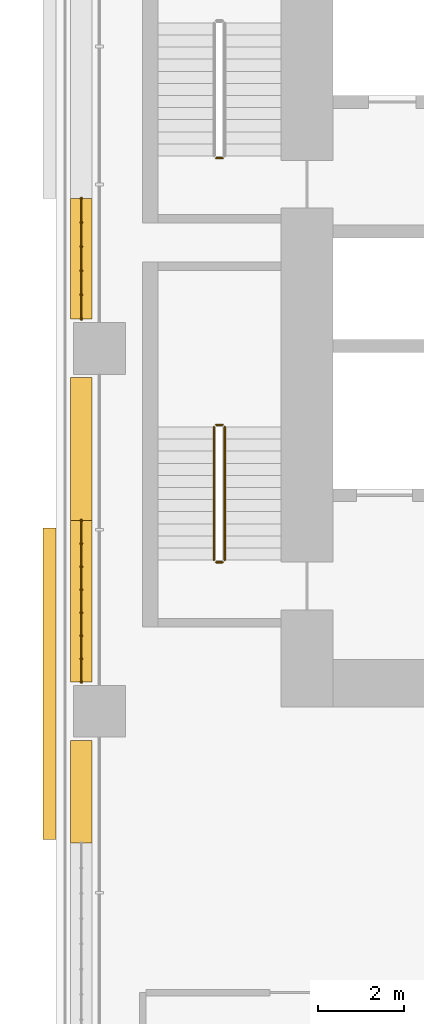
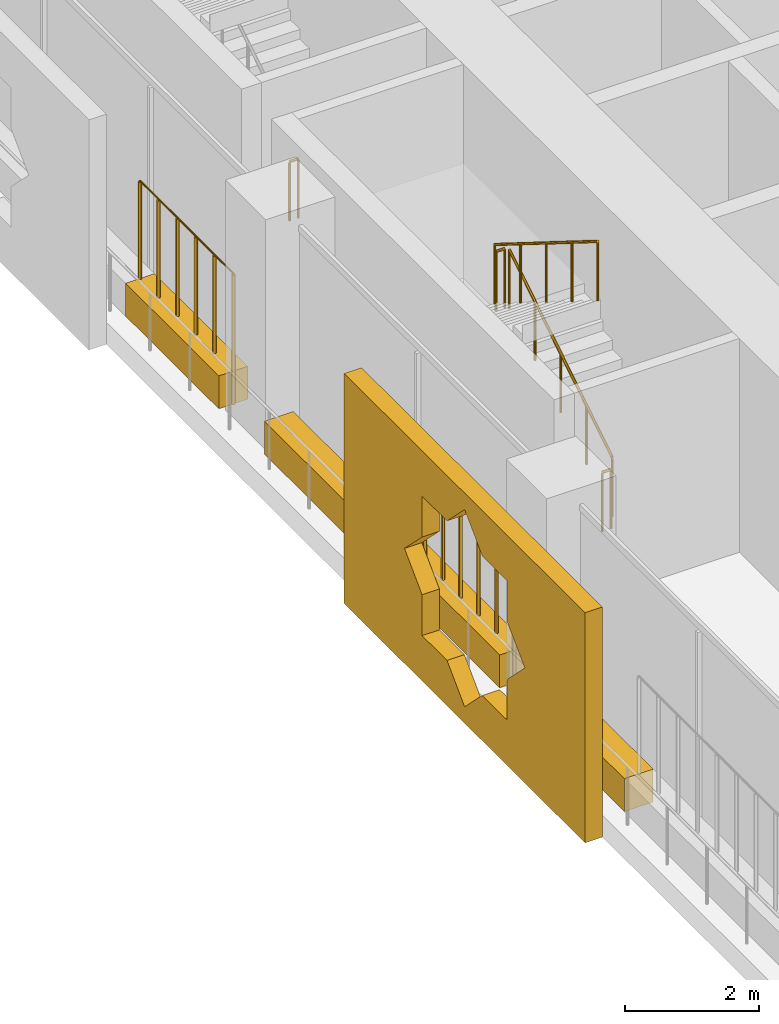
# One storey, part 24 of 29: 7 railings, 5 coverings.
"""IFC4 building model written with IfcOpenShell, lengths in metres."""

from ifc_helpers import new_model, si_unit, direction, frame, origin, origin_2d, place, context, subcontext, project, spatial, polyline, rectangle, circle, outline, extrude, material, material_profile, profile_set, type_object, element, save


model = new_model("IFC4")

# Units and contexts
model_context = context("Model", 3, precision=1e-05, world=origin(), true_north=direction((0.0, 1.0)))
body_context = subcontext(model_context, "Body", "Model", "MODEL_VIEW")
ifc_project = project(units=[si_unit("LENGTHUNIT", "METRE"), si_unit("AREAUNIT", "SQUARE_METRE"), si_unit("VOLUMEUNIT", "CUBIC_METRE"), si_unit("PLANEANGLEUNIT", "RADIAN"), si_unit("MASSUNIT", "GRAM", prefix="KILO")], contexts=[model_context])

# Site, building, storey
site_placement = place(None, origin())
site = spatial("IfcSite", under=ifc_project, at=site_placement, CompositionType="ELEMENT")
building_placement = place(site_placement, origin())
building = spatial("IfcBuilding", under=site, at=building_placement, Name="Kawkab Arch Medical Tower", CompositionType="ELEMENT")
storey_placement = place(building_placement, frame((0.0, 0.0, 64.39990234375)))
storey = spatial("IfcBuildingStorey", under=building, at=storey_placement, Name="L14", CompositionType="ELEMENT", Elevation=64.39990234375)

# Coverings
ifc_material_1 = material(Name="Bronze anodised aluminium mashrabiya panel, eight-point star pattern", Category="aluminium")
ifc_material_profile_1 = material_profile(ifc_material_1, outline(polyline([(-3.60009765625, -2.10009765625), (3.60009765625, -2.10009765625), (3.60009765625, 2.10009765625), (-3.60009765625, 2.10009765625), (-3.60009765625, -2.10009765625)]), holes=[polyline([(1.800048828125, 0.0), (1.272705078125, 0.527099609375), (1.272705078125, 1.272705078125), (0.527099609375, 1.272705078125), (0.0, 1.800048828125), (-0.527099609375, 1.272705078125), (-1.272705078125, 1.272705078125), (-1.272705078125, 0.527099609375), (-1.800048828125, 0.0), (-1.272705078125, -0.527099609375), (-1.272705078125, -1.272705078125), (-0.527099609375, -1.272705078125), (0.0, -1.800048828125), (0.527099609375, -1.272705078125), (1.272705078125, -1.272705078125), (1.272705078125, -0.527099609375), (1.800048828125, 0.0)])]), Name="Mashrabiya panel 7200x4200")
ifc_profile_set_1 = profile_set([ifc_material_profile_1], Name="Bronze anodised aluminium mashrabiya panel, eight-point star pattern")
covering_type_1 = type_object("IfcCoveringType", Name="Mashrabiya panel 7200 x 4200", PredefinedType="USERDEFINED", material=ifc_profile_set_1)
covering_1_placement = place(storey_placement, frame((-1.0, -24.561767578125, 1.7001953125), z_axis=(-1.0, 0.0, 0.0), x_axis=(0.0, -1.0, 0.0)))
element("IfcCovering", 1, at=covering_1_placement, inside=storey, type_object=covering_type_1, Name="Mashrabiya panel L14.LOG-01-01.4", ObjectType="SCREEN", PredefinedType="USERDEFINED", context=body_context, shape_type="SweptSolid", body=[
    extrude(outline(polyline([(-3.60009765625, -2.10009765625), (3.60009765625, -2.10009765625), (3.60009765625, 2.10009765625), (-3.60009765625, 2.10009765625), (-3.60009765625, -2.10009765625)]), holes=[polyline([(1.800048828125, 0.0), (1.272705078125, 0.527099609375), (1.272705078125, 1.272705078125), (0.527099609375, 1.272705078125), (0.0, 1.800048828125), (-0.527099609375, 1.272705078125), (-1.272705078125, 1.272705078125), (-1.272705078125, 0.527099609375), (-1.800048828125, 0.0), (-1.272705078125, -0.527099609375), (-1.272705078125, -1.272705078125), (-0.527099609375, -1.272705078125), (0.0, -1.800048828125), (0.527099609375, -1.272705078125), (1.272705078125, -1.272705078125), (1.272705078125, -0.527099609375), (1.800048828125, 0.0)])]), origin(), (0.0, 0.0, 1.0), 0.300048828125),
])
ifc_material_2 = material(Name="Planting soil in a precast trough", Category="concrete")
ifc_material_profile_2 = material_profile(ifc_material_2, rectangle(XDim=0.5, YDim=0.60009765625, at=origin_2d()), Name="Trough 500x600")
ifc_profile_set_2 = profile_set([ifc_material_profile_2], Name="Planting soil in a precast trough")
covering_type_2 = type_object("IfcCoveringType", Name="Planter trough 500 x 600", PredefinedType="USERDEFINED", material=ifc_profile_set_2)
covering_2_placement = place(storey_placement, frame((-0.419921875, -28.243896484375, 0.300048828125), z_axis=(0.0, 1.0, 0.0), x_axis=(-1.0, 0.0, 0.0)))
element("IfcCovering", 2, at=covering_2_placement, inside=storey, type_object=covering_type_2, Name="Planter L14.LOG-01-01.12", ObjectType="PLANTER", PredefinedType="USERDEFINED", context=body_context, shape_type="SweptSolid", body=[
    extrude(rectangle(XDim=0.5, YDim=0.60009765625, at=origin_2d()), origin(), (0.0, 0.0, 1.0), 2.364013671875),
])
covering_3_placement = place(storey_placement, frame((-0.419921875, -24.52001953125, 0.300048828125), z_axis=(0.0, 1.0, 0.0), x_axis=(-1.0, 0.0, 0.0)))
element("IfcCovering", 3, at=covering_3_placement, inside=storey, type_object=covering_type_2, Name="Planter L14.LOG-01-01.13", ObjectType="PLANTER", PredefinedType="USERDEFINED", context=body_context, shape_type="SweptSolid", body=[
    extrude(rectangle(XDim=0.5, YDim=0.60009765625, at=origin_2d()), origin(), (0.0, 0.0, 1.0), 3.73291015625),
])
covering_4_placement = place(storey_placement, frame((-0.419921875, -20.787109375, 0.300048828125), z_axis=(0.0, 1.0, 0.0), x_axis=(-1.0, 0.0, 0.0)))
element("IfcCovering", 4, at=covering_4_placement, inside=storey, type_object=covering_type_2, Name="Planter L14.LOG-01-01.14", ObjectType="PLANTER", PredefinedType="USERDEFINED", context=body_context, shape_type="SweptSolid", body=[
    extrude(rectangle(XDim=0.5, YDim=0.60009765625, at=origin_2d()), origin(), (0.0, 0.0, 1.0), 3.30712890625),
])
covering_5_placement = place(storey_placement, frame((-0.419921875, -16.1201171875, 0.300048828125), z_axis=(0.0, 1.0, 0.0), x_axis=(-1.0, 0.0, 0.0)))
element("IfcCovering", 5, at=covering_5_placement, inside=storey, type_object=covering_type_2, Name="Planter L14.LOG-01-01.15", ObjectType="PLANTER", PredefinedType="USERDEFINED", context=body_context, shape_type="SweptSolid", body=[
    extrude(rectangle(XDim=0.5, YDim=0.60009765625, at=origin_2d()), origin(), (0.0, 0.0, 1.0), 2.7890625),
])

# Railings
ifc_material_3 = material(Name="Bronze anodised aluminium trellis for climbing plants", Category="aluminium")
railing_type_1 = type_object("IfcRailingType", Name="Planting trellis 2400", PredefinedType="USERDEFINED", material=ifc_material_3)
railing_1_placement = place(storey_placement, frame((-0.419921875, -24.52001953125, 0.0)))
element("IfcRailing", 6, at=railing_1_placement, inside=storey, type_object=railing_type_1, Name="Planting trellis L14.LOG-01-01.13", ObjectType="TRELLIS", PredefinedType="USERDEFINED", context=body_context, shape_type="SweptSolid", body=[
    extrude(circle(Radius=0.01513671875, at=origin_2d()), frame((0.0, 0.0, 2.384765625), z_axis=(0.0, 1.0, 0.0), x_axis=(-1.0, 0.0, 0.0)), (0.0, 0.0, 1.0), 3.73291015625),
    extrude(circle(Radius=0.030029296875, at=origin_2d()), origin(), (0.0, 0.0, 1.0), 2.369873046875),
    extrude(circle(Radius=0.030029296875, at=origin_2d()), frame((0.0, 0.533203125, 0.0)), (0.0, 0.0, 1.0), 2.369873046875),
    extrude(circle(Radius=0.030029296875, at=origin_2d()), frame((0.0, 1.066650390625, 0.0)), (0.0, 0.0, 1.0), 2.369873046875),
    extrude(circle(Radius=0.030029296875, at=origin_2d()), frame((0.0, 1.599853515625, 0.0)), (0.0, 0.0, 1.0), 2.369873046875),
    extrude(circle(Radius=0.030029296875, at=origin_2d()), frame((0.0, 2.133056640625, 0.0)), (0.0, 0.0, 1.0), 2.369873046875),
    extrude(circle(Radius=0.030029296875, at=origin_2d()), frame((0.0, 2.666259765625, 0.0)), (0.0, 0.0, 1.0), 2.369873046875),
    extrude(circle(Radius=0.030029296875, at=origin_2d()), frame((0.0, 3.19970703125, 0.0)), (0.0, 0.0, 1.0), 2.369873046875),
    extrude(circle(Radius=0.030029296875, at=origin_2d()), frame((0.0, 3.73291015625, 0.0)), (0.0, 0.0, 1.0), 2.369873046875),
])
railing_2_placement = place(storey_placement, frame((-0.419921875, -16.1201171875, 0.0)))
element("IfcRailing", 7, at=railing_2_placement, inside=storey, type_object=railing_type_1, Name="Planting trellis L14.LOG-01-01.15", ObjectType="TRELLIS", PredefinedType="USERDEFINED", context=body_context, shape_type="SweptSolid", body=[
    extrude(circle(Radius=0.01513671875, at=origin_2d()), frame((0.0, 0.0, 2.384765625), z_axis=(0.0, 1.0, 0.0), x_axis=(-1.0, 0.0, 0.0)), (0.0, 0.0, 1.0), 2.7890625),
    extrude(circle(Radius=0.030029296875, at=origin_2d()), origin(), (0.0, 0.0, 1.0), 2.369873046875),
    extrude(circle(Radius=0.030029296875, at=origin_2d()), frame((0.0, 0.557861328125, 0.0)), (0.0, 0.0, 1.0), 2.369873046875),
    extrude(circle(Radius=0.030029296875, at=origin_2d()), frame((0.0, 1.11572265625, 0.0)), (0.0, 0.0, 1.0), 2.369873046875),
    extrude(circle(Radius=0.030029296875, at=origin_2d()), frame((0.0, 1.67333984375, 0.0)), (0.0, 0.0, 1.0), 2.369873046875),
    extrude(circle(Radius=0.030029296875, at=origin_2d()), frame((0.0, 2.231201171875, 0.0)), (0.0, 0.0, 1.0), 2.369873046875),
    extrude(circle(Radius=0.030029296875, at=origin_2d()), frame((0.0, 2.7890625, 0.0)), (0.0, 0.0, 1.0), 2.369873046875),
])
ifc_material_4 = material(Name="Stainless steel", Category="steel")
railing_type_2 = type_object("IfcRailingType", Name="Stair guard 1100", PredefinedType="GUARDRAIL", material=ifc_material_4)
railing_3_placement = place(storey_placement, frame((2.85009765625, -12.39990234375, 0.0)))
element("IfcRailing", 8, at=railing_3_placement, inside=storey, type_object=railing_type_2, Name="L14 ST1 stair guard 4", PredefinedType="GUARDRAIL", context=body_context, shape_type="SweptSolid", body=[
    extrude(circle(Radius=0.02392578125, at=origin_2d()), frame((0.0, 0.0, 1.076171875), z_axis=(-1.0, 0.0, 0.0), x_axis=(0.0, -1.0, 0.0)), (0.0, 0.0, 1.0), 0.150146484375),
    extrude(circle(Radius=0.02099609375, at=origin_2d()), origin(), (0.0, 0.0, 1.0), 1.052001953125),
    extrude(circle(Radius=0.02099609375, at=origin_2d()), frame((-0.150146484375, 0.0, 0.0)), (0.0, 0.0, 1.0), 1.052001953125),
])
railing_4_placement = place(storey_placement, frame((2.89990234375, -21.699951171875, 0.175048828125)))
element("IfcRailing", 9, at=railing_4_placement, inside=storey, type_object=railing_type_2, Name="L14 ST2 stair guard 1", PredefinedType="GUARDRAIL", context=body_context, shape_type="SweptSolid", body=[
    extrude(circle(Radius=0.02392578125, at=origin_2d()), frame((0.0, 0.0, 1.076171875), z_axis=(0.0, 0.847979421464, 0.530029150871), x_axis=(-1.0, 0.0, 0.0)), (0.0, 0.0, 1.0), 3.632080078125),
    extrude(circle(Radius=0.02099609375, at=origin_2d()), origin(), (0.0, 0.0, 1.0), 1.052001953125),
    extrude(circle(Radius=0.02099609375, at=origin_2d()), frame((0.0, 0.77001953125, 0.481201171875)), (0.0, 0.0, 1.0), 1.052001953125),
    extrude(circle(Radius=0.02099609375, at=origin_2d()), frame((0.0, 1.5400390625, 0.96240234375)), (0.0, 0.0, 1.0), 1.052001953125),
    extrude(circle(Radius=0.02099609375, at=origin_2d()), frame((0.0, 2.309814453125, 1.44384765625)), (0.0, 0.0, 1.0), 1.052001953125),
    extrude(circle(Radius=0.02099609375, at=origin_2d()), frame((0.0, 3.079833984375, 1.925048828125)), (0.0, 0.0, 1.0), 1.052001953125),
])
railing_5_placement = place(storey_placement, frame((2.85009765625, -18.570068359375, 2.10009765625)))
element("IfcRailing", 10, at=railing_5_placement, inside=storey, type_object=railing_type_2, Name="L14 ST2 stair guard 2", PredefinedType="GUARDRAIL", context=body_context, shape_type="SweptSolid", body=[
    extrude(circle(Radius=0.02392578125, at=origin_2d()), frame((0.0, 0.0, 1.076171875), z_axis=(-1.0, 0.0, 0.0), x_axis=(0.0, -1.0, 0.0)), (0.0, 0.0, 1.0), 0.150146484375),
    extrude(circle(Radius=0.02099609375, at=origin_2d()), origin(), (0.0, 0.0, 1.0), 1.052001953125),
    extrude(circle(Radius=0.02099609375, at=origin_2d()), frame((-0.150146484375, 0.0, 0.0)), (0.0, 0.0, 1.0), 1.052001953125),
])
railing_6_placement = place(storey_placement, frame((2.64990234375, -18.6201171875, 2.275146484375)))
element("IfcRailing", 11, at=railing_6_placement, inside=storey, type_object=railing_type_2, Name="L14 ST2 stair guard 3", PredefinedType="GUARDRAIL", context=body_context, shape_type="SweptSolid", body=[
    extrude(circle(Radius=0.02392578125, at=origin_2d()), frame((0.0, 0.0, 1.076171875), z_axis=(0.0, -0.847979421464, 0.530029150871), x_axis=(1.0, 0.0, 0.0)), (0.0, 0.0, 1.0), 3.632080078125),
    extrude(circle(Radius=0.02099609375, at=origin_2d()), origin(), (0.0, 0.0, 1.0), 1.052001953125),
    extrude(circle(Radius=0.02099609375, at=origin_2d()), frame((0.0, -0.77001953125, 0.481201171875)), (0.0, 0.0, 1.0), 1.052001953125),
    extrude(circle(Radius=0.02099609375, at=origin_2d()), frame((0.0, -1.5400390625, 0.96240234375)), (0.0, 0.0, 1.0), 1.052001953125),
    extrude(circle(Radius=0.02099609375, at=origin_2d()), frame((0.0, -2.309814453125, 1.44384765625)), (0.0, 0.0, 1.0), 1.052001953125),
    extrude(circle(Radius=0.02099609375, at=origin_2d()), frame((0.0, -3.079833984375, 1.925048828125)), (0.0, 0.0, 1.0), 1.052001953125),
])
railing_7_placement = place(storey_placement, frame((2.85009765625, -21.75, 0.0)))
element("IfcRailing", 12, at=railing_7_placement, inside=storey, type_object=railing_type_2, Name="L14 ST2 stair guard 4", PredefinedType="GUARDRAIL", context=body_context, shape_type="SweptSolid", body=[
    extrude(circle(Radius=0.02392578125, at=origin_2d()), frame((0.0, 0.0, 1.076171875), z_axis=(-1.0, 0.0, 0.0), x_axis=(0.0, -1.0, 0.0)), (0.0, 0.0, 1.0), 0.150146484375),
    extrude(circle(Radius=0.02099609375, at=origin_2d()), origin(), (0.0, 0.0, 1.0), 1.052001953125),
    extrude(circle(Radius=0.02099609375, at=origin_2d()), frame((-0.150146484375, 0.0, 0.0)), (0.0, 0.0, 1.0), 1.052001953125),
])

save(model, "model.ifc")
